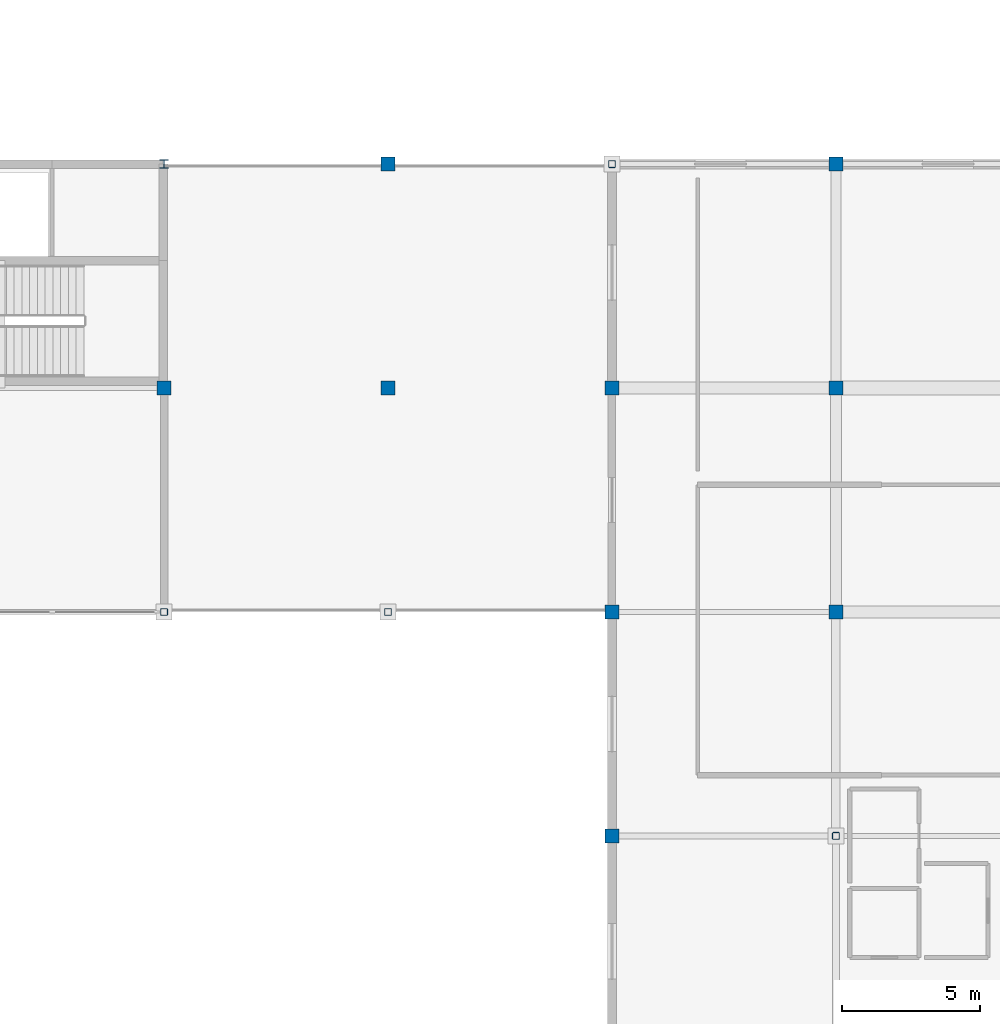
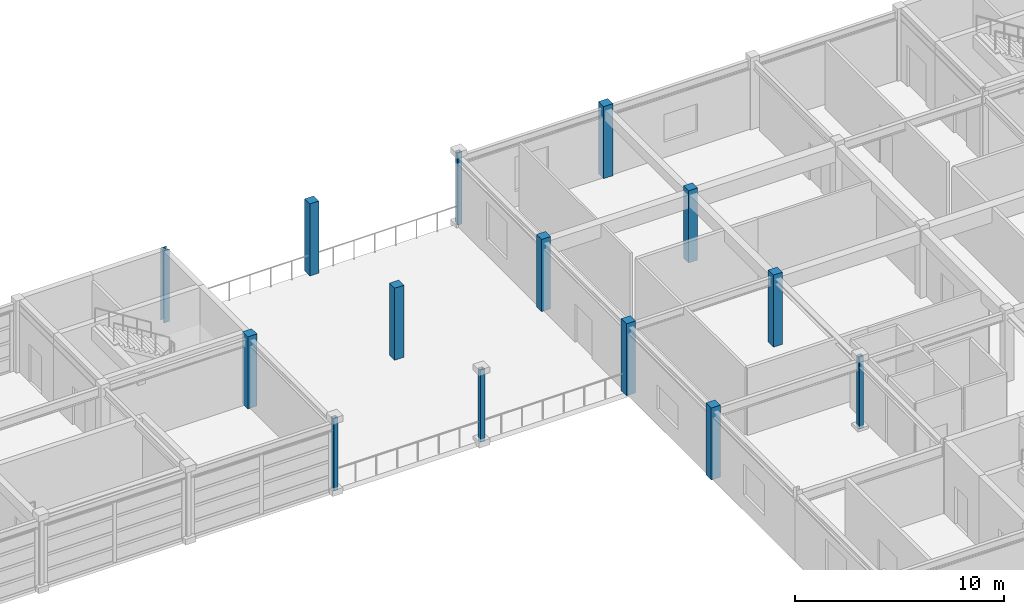
# One storey, part 7 of 54: 14 columns.
"""IFC4 building model written with IfcOpenShell, lengths in metres."""

from ifc_helpers import new_model, si_unit, direction, frame, origin, origin_2d, place, context, subcontext, project, spatial, rectangle, hollow_rectangle, i_section, extrude, material, material_profile, profile_set, type_object, element, save


model = new_model("IFC4")

# Units and contexts
model_context = context("Model", 3, precision=1e-05, world=origin(), true_north=direction((0.0, 1.0)))
body_context = subcontext(model_context, "Body", "Model", "MODEL_VIEW")
ifc_project = project(units=[si_unit("LENGTHUNIT", "METRE"), si_unit("AREAUNIT", "SQUARE_METRE"), si_unit("VOLUMEUNIT", "CUBIC_METRE"), si_unit("PLANEANGLEUNIT", "RADIAN"), si_unit("MASSUNIT", "GRAM", prefix="KILO")], contexts=[model_context])

# Site, building, storey
site_placement = place(None, origin())
site = spatial("IfcSite", under=ifc_project, at=site_placement, CompositionType="ELEMENT")
building_placement = place(site_placement, origin())
building = spatial("IfcBuilding", under=site, at=building_placement, Name="Parian Resonance Hall", CompositionType="ELEMENT")
storey_placement = place(building_placement, frame((0.0, 0.0, 15.0)))
storey = spatial("IfcBuildingStorey", under=building, at=storey_placement, Name="L03", CompositionType="ELEMENT", Elevation=15.0)

# Columns
ifc_material_1 = material(Name="Concrete C40/50", Category="concrete")
ifc_material_profile_1 = material_profile(ifc_material_1, rectangle(XDim=0.5, YDim=0.5, at=origin_2d()), Name="RC-COL-500x500")
ifc_profile_set_1 = profile_set([ifc_material_profile_1], Name="Concrete C40/50")
column_type_1 = type_object("IfcColumnType", Name="COL-RC500", PredefinedType="COLUMN", material=ifc_profile_set_1)
for number, where, z_axis, x_axis, name in (
    (1, (97.199951171875, 81.0, 0.0), (0.0, 0.0, 1.0), (1.0, 0.0, 0.0), "Column G13-11 L03"),
    (2, (105.300048828125, 81.0, 0.0), (0.0, 0.0, 1.0), (1.0, 0.0, 0.0), "Column G14-11 L03"),
    (3, (105.300048828125, 89.10009765625, 0.0), (0.0, 0.0, 1.0), (1.0, 0.0, 0.0), "Column G14-12 L03"),
    (4, (113.39990234375, 64.800048828125, 0.0), (0.0, 0.0, 1.0), (1.0, 0.0, 0.0), "Column G15-09 L03"),
    (5, (113.39990234375, 72.89990234375, 0.0), (0.0, 0.0, 1.0), (1.0, 0.0, 0.0), "Column G15-10 L03"),
    (6, (113.39990234375, 81.0, 0.0), (0.0, 0.0, 1.0), (1.0, 0.0, 0.0), "Column G15-11 L03"),
    (7, (121.5, 72.89990234375, 0.0), (0.0, 0.0, 1.0), (1.0, 0.0, 0.0), "Column G16-10 L03"),
    (8, (121.5, 81.0, 0.0), (0.0, 0.0, 1.0), (1.0, 0.0, 0.0), "Column G16-11 L03"),
    (9, (121.5, 89.10009765625, 0.0), (0.0, 0.0, 1.0), (1.0, 0.0, 0.0), "Column G16-12 L03"),
):
    element("IfcColumn", number, at=place(storey_placement, frame(where, z_axis=z_axis, x_axis=x_axis)), inside=storey, type_object=column_type_1, Name=name, PredefinedType="COLUMN", context=body_context, shape_type="SweptSolid", body=[
        extrude(rectangle(XDim=0.5, YDim=0.5, at=origin_2d()), origin(), (0.0, 0.0, 1.0), 4.199951171875),
    ])
ifc_material_2 = material(Name="Hollow structural steel S355", Category="steel")
ifc_material_profile_2 = material_profile(ifc_material_2, hollow_rectangle(XDim=0.25, YDim=0.25, WallThickness=0.012451171875, InnerFilletRadius=0.012451171875, OuterFilletRadius=0.02490234375, at=origin_2d()), Name="SHS250x250x12.5")
ifc_profile_set_2 = profile_set([ifc_material_profile_2], Name="Hollow structural steel S355")
column_type_2 = type_object("IfcColumnType", Name="COL-SHS250", PredefinedType="COLUMN", material=ifc_profile_set_2)
for number, where, z_axis, x_axis, name in (
    (10, (97.199951171875, 72.89990234375, 0.0), (0.0, 0.0, 1.0), (1.0, 0.0, 0.0), "Column G13-10 L03"),
    (11, (105.300048828125, 72.89990234375, 0.0), (0.0, 0.0, 1.0), (1.0, 0.0, 0.0), "Column G14-10 L03"),
    (12, (113.39990234375, 89.10009765625, 0.0), (0.0, 0.0, 1.0), (1.0, 0.0, 0.0), "Column G15-12 L03"),
    (13, (121.5, 64.800048828125, 0.0), (0.0, 0.0, 1.0), (1.0, 0.0, 0.0), "Column G16-09 L03"),
):
    element("IfcColumn", number, at=place(storey_placement, frame(where, z_axis=z_axis, x_axis=x_axis)), inside=storey, type_object=column_type_2, Name=name, PredefinedType="COLUMN", context=body_context, shape_type="SweptSolid", body=[
        extrude(hollow_rectangle(XDim=0.25, YDim=0.25, WallThickness=0.012451171875, InnerFilletRadius=0.012451171875, OuterFilletRadius=0.02490234375, at=origin_2d()), origin(), (0.0, 0.0, 1.0), 4.199951171875),
    ])
ifc_material_3 = material(Name="Steel S355", Category="steel")
ifc_material_profile_3 = material_profile(ifc_material_3, i_section(OverallWidth=0.304931640625, OverallDepth=0.30810546875, WebThickness=0.010009765625, FlangeThickness=0.015380859375, FilletRadius=0.01513671875, at=origin_2d()), Name="W310x97")
ifc_profile_set_3 = profile_set([ifc_material_profile_3], Name="Steel S355")
column_type_3 = type_object("IfcColumnType", Name="COL-W310", PredefinedType="COLUMN", material=ifc_profile_set_3)
column_placement = place(storey_placement, frame((97.199951171875, 89.10009765625, 0.0), z_axis=(0.0, 0.0, 1.0), x_axis=(1.0, 0.0, 0.0)))
element("IfcColumn", 14, at=column_placement, inside=storey, type_object=column_type_3, Name="Column G13-12 L03", PredefinedType="COLUMN", context=body_context, shape_type="SweptSolid", body=[
    extrude(i_section(OverallWidth=0.304931640625, OverallDepth=0.30810546875, WebThickness=0.010009765625, FlangeThickness=0.015380859375, FilletRadius=0.01513671875, at=origin_2d()), origin(), (0.0, 0.0, 1.0), 4.199951171875),
])

save(model, "model.ifc")
